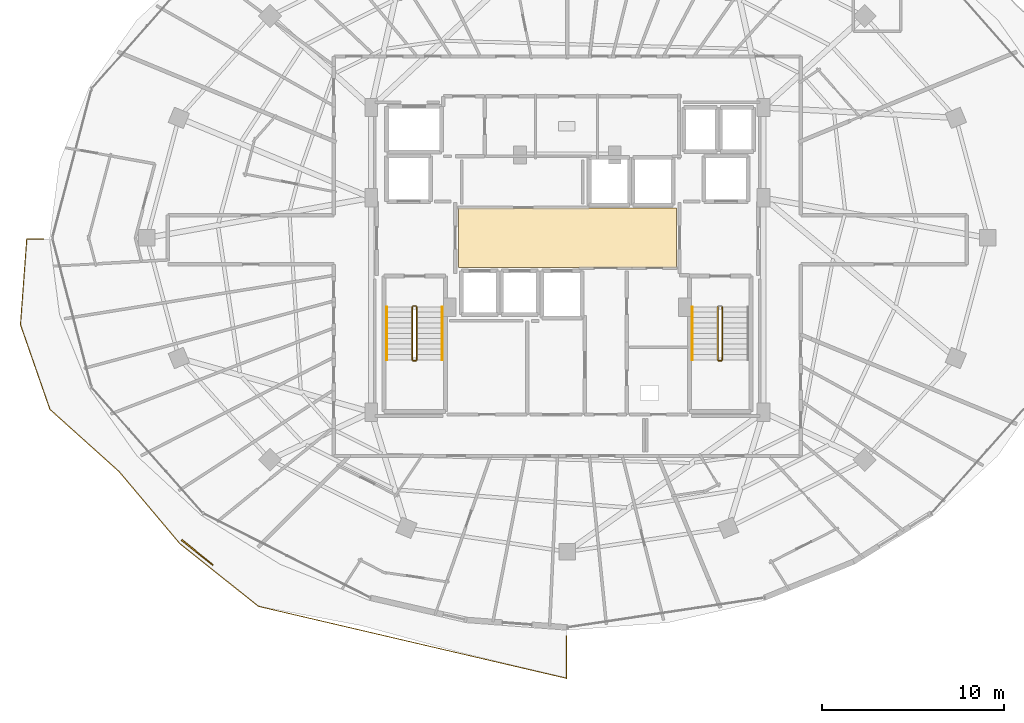
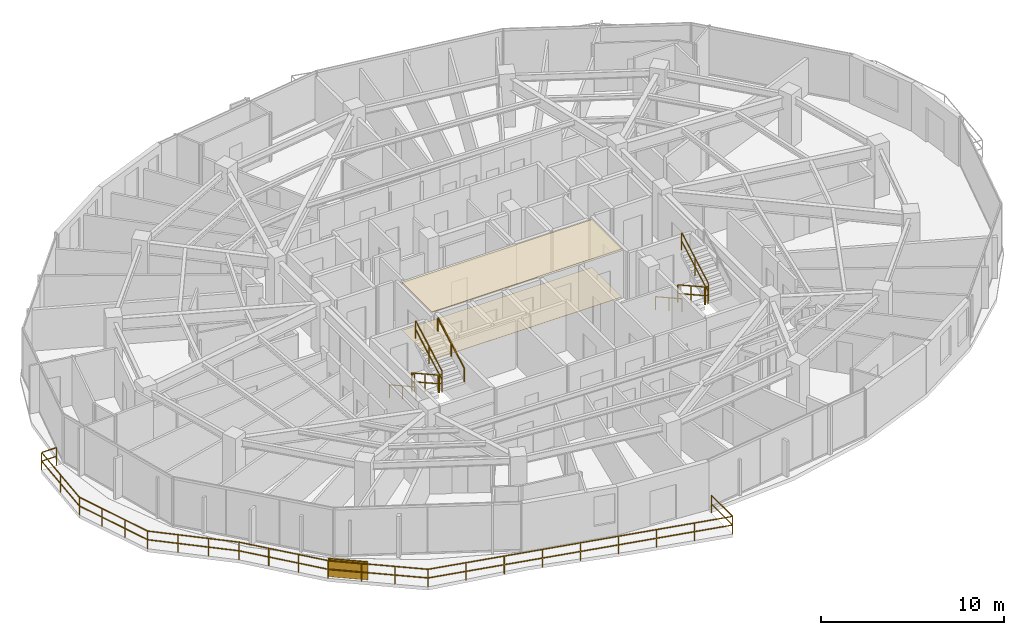
# One storey, part 31 of 33: 12 railings, 2 coverings, 1 shading device.
"""IFC4 building model written with IfcOpenShell, lengths in metres."""

from ifc_helpers import new_model, si_unit, direction, frame, origin, origin_2d, place, context, subcontext, project, spatial, polyline, rectangle, outline, extrude, material, layer, layer_set, type_object, element, save


model = new_model("IFC4")

# Units and contexts
model_context = context("Model", 3, precision=1e-05, world=origin(), true_north=direction((0.0, 1.0)))
body_context = subcontext(model_context, "Body", "Model", "MODEL_VIEW")
ifc_project = project(units=[si_unit("LENGTHUNIT", "METRE"), si_unit("AREAUNIT", "SQUARE_METRE"), si_unit("VOLUMEUNIT", "CUBIC_METRE"), si_unit("PLANEANGLEUNIT", "RADIAN"), si_unit("MASSUNIT", "GRAM", prefix="KILO")], contexts=[model_context])

# Site, building, storey
site_placement = place(None, origin())
site = spatial("IfcSite", under=ifc_project, at=site_placement, CompositionType="ELEMENT")
building_placement = place(site_placement, origin())
building = spatial("IfcBuilding", under=site, at=building_placement, Name="Vorneva Point Tower", CompositionType="ELEMENT")
storey_placement = place(building_placement, frame((0.0, 0.0, 221.39990234375)))
storey = spatial("IfcBuildingStorey", under=building, at=storey_placement, Name="L60", CompositionType="ELEMENT", Elevation=221.39990234375)

# Coverings
ifc_material_1 = material(Name="Perforated acoustic aluminium baffle ceiling", Category="aluminium")
ifc_layer_1 = layer(ifc_material_1, 0.030029296875)
ifc_layer_set_1 = layer_set([ifc_layer_1], Name="Perforated acoustic aluminium baffle ceiling")
covering_type_1 = type_object("IfcCoveringType", Name="COV-CEIL-BAF", PredefinedType="CEILING", material=ifc_layer_set_1)
covering_1_placement = place(storey_placement, frame((0.0, 0.0, 3.170166015625)))
element("IfcCovering", 1, at=covering_1_placement, inside=storey, type_object=covering_type_1, Name="L60 Lift Lobby Acoustic Baffle Ceiling", PredefinedType="CEILING", context=body_context, shape_type="SweptSolid", body=[
    extrude(outline(polyline([(32.02001953125, 24.3701171875), (43.97998046875, 24.3701171875), (43.97998046875, 27.6298828125), (32.02001953125, 27.6298828125), (32.02001953125, 24.3701171875)])), origin(), (0.0, 0.0, 1.0), 0.034912109375),
])
ifc_material_2 = material(Name="Acoustic wool hospitality carpet", Category="textile")
ifc_layer_2 = layer(ifc_material_2, 0.01806640625)
ifc_layer_set_2 = layer_set([ifc_layer_2], Name="Acoustic wool hospitality carpet")
covering_type_2 = type_object("IfcCoveringType", Name="COV-FLR-CRP", PredefinedType="FLOORING", material=ifc_layer_set_2)
covering_2_placement = place(storey_placement, frame((0.0, 0.0, -0.0048828125)))
element("IfcCovering", 2, at=covering_2_placement, inside=storey, type_object=covering_type_2, Name="L60 Lift Lobby Floor Finish", PredefinedType="FLOORING", context=body_context, shape_type="SweptSolid", body=[
    extrude(outline(polyline([(32.02001953125, 24.3701171875), (43.97998046875, 24.3701171875), (43.97998046875, 27.6298828125), (32.02001953125, 27.6298828125), (32.02001953125, 24.3701171875)])), origin(), (0.0, 0.0, 1.0), 0.02294921875),
])

# Railings
ifc_material_3 = material(Name="Pale anodised aluminium", Category="aluminium")
railing_type_1 = type_object("IfcRailingType", Name="RL-BAL-1200", PredefinedType="BALUSTRADE", material=ifc_material_3)
railing_1_placement = place(storey_placement, frame((37.949951171875, 1.862060546875, 0.0)))
element("IfcRailing", 3, at=railing_1_placement, inside=storey, type_object=railing_type_1, Name="L60 Wave Balcony Balustrade SW.1", PredefinedType="BALUSTRADE", context=body_context, shape_type="SweptSolid", body=[
    extrude(rectangle(XDim=0.048095703125, YDim=0.048095703125, at=origin_2d()), frame((0.0, 0.0, 1.17578125), z_axis=(0.0, 1.0, 0.0), x_axis=(-1.0, 0.0, 0.0)), (0.0, 0.0, 1.0), 2.32080078125),
    extrude(rectangle(XDim=0.048095703125, YDim=0.048095703125, at=origin_2d()), frame((0.0, 0.0, 0.60009765625), z_axis=(0.0, 1.0, 0.0), x_axis=(-1.0, 0.0, 0.0)), (0.0, 0.0, 1.0), 2.32080078125),
    extrude(rectangle(XDim=0.0419921875, YDim=0.0419921875, at=origin_2d()), origin(), (0.0, 0.0, 1.0), 1.15185546875),
    extrude(rectangle(XDim=0.0419921875, YDim=0.0419921875, at=origin_2d()), frame((0.0, 2.32080078125, 0.0)), (0.0, 0.0, 1.0), 1.15185546875),
])
railing_2_placement = place(storey_placement, frame((9.3037109375, 25.949951171875, 0.0)))
element("IfcRailing", 4, at=railing_2_placement, inside=storey, type_object=railing_type_1, Name="L60 Wave Balcony Balustrade SW.2", PredefinedType="BALUSTRADE", context=body_context, shape_type="SweptSolid", body=[
    extrude(rectangle(XDim=0.048095703125, YDim=0.048095703125, at=origin_2d()), frame((0.0, 0.0, 1.17578125), z_axis=(-1.0, 0.0, 0.0), x_axis=(0.0, -1.0, 0.0)), (0.0, 0.0, 1.0), 0.9375),
    extrude(rectangle(XDim=0.048095703125, YDim=0.048095703125, at=origin_2d()), frame((0.0, 0.0, 0.60009765625), z_axis=(-1.0, 0.0, 0.0), x_axis=(0.0, -1.0, 0.0)), (0.0, 0.0, 1.0), 0.9375),
    extrude(rectangle(XDim=0.048095703125, YDim=0.048095703125, at=origin_2d()), frame((-0.9375, 0.0, 1.17578125), z_axis=(-0.073338251452, -0.997307124648, 0.0), x_axis=(0.997307124648, -0.073338251452, 0.0)), (0.0, 0.0, 1.0), 4.720458984375),
    extrude(rectangle(XDim=0.048095703125, YDim=0.048095703125, at=origin_2d()), frame((-0.9375, 0.0, 0.60009765625), z_axis=(-0.073338251452, -0.997307124648, 0.0), x_axis=(0.997307124648, -0.073338251452, 0.0)), (0.0, 0.0, 1.0), 4.720458984375),
    extrude(rectangle(XDim=0.048095703125, YDim=0.048095703125, at=origin_2d()), frame((-1.28369140625, -4.707763671875, 1.17578125), z_axis=(0.328537961783, -0.944490766322, 0.0), x_axis=(0.944490766322, 0.328537961783, 0.0)), (0.0, 0.0, 1.0), 4.915771484375),
    extrude(rectangle(XDim=0.048095703125, YDim=0.048095703125, at=origin_2d()), frame((-1.28369140625, -4.707763671875, 0.60009765625), z_axis=(0.328537961783, -0.944490766322, 0.0), x_axis=(0.944490766322, 0.328537961783, 0.0)), (0.0, 0.0, 1.0), 4.915771484375),
    extrude(rectangle(XDim=0.048095703125, YDim=0.048095703125, at=origin_2d()), frame((0.331298828125, -9.3505859375, 1.17578125), z_axis=(0.743803703003, -0.668398123425, 0.0), x_axis=(0.668398123425, 0.743803703003, 0.0)), (0.0, 0.0, 1.0), 5.09619140625),
    extrude(rectangle(XDim=0.048095703125, YDim=0.048095703125, at=origin_2d()), frame((0.331298828125, -9.3505859375, 0.60009765625), z_axis=(0.743803703003, -0.668398123425, 0.0), x_axis=(0.668398123425, 0.743803703003, 0.0)), (0.0, 0.0, 1.0), 5.09619140625),
    extrude(rectangle(XDim=0.048095703125, YDim=0.048095703125, at=origin_2d()), frame((4.121826171875, -12.7568359375, 1.17578125), z_axis=(0.644460214612, -0.764637843545, 0.0), x_axis=(0.764637843545, 0.644460214612, 0.0)), (0.0, 0.0, 1.0), 5.166015625),
    extrude(rectangle(XDim=0.048095703125, YDim=0.048095703125, at=origin_2d()), frame((4.121826171875, -12.7568359375, 0.60009765625), z_axis=(0.644460214612, -0.764637843545, 0.0), x_axis=(0.764637843545, 0.644460214612, 0.0)), (0.0, 0.0, 1.0), 5.166015625),
    extrude(rectangle(XDim=0.048095703125, YDim=0.048095703125, at=origin_2d()), frame((7.451171875, -16.70703125, 1.17578125), z_axis=(0.781581742766, -0.62380283694, 0.0), x_axis=(0.62380283694, 0.781581742766, 0.0)), (0.0, 0.0, 1.0), 5.508544921875),
    extrude(rectangle(XDim=0.048095703125, YDim=0.048095703125, at=origin_2d()), frame((7.451171875, -16.70703125, 0.60009765625), z_axis=(0.781581742766, -0.62380283694, 0.0), x_axis=(0.62380283694, 0.781581742766, 0.0)), (0.0, 0.0, 1.0), 5.508544921875),
    extrude(rectangle(XDim=0.048095703125, YDim=0.048095703125, at=origin_2d()), frame((11.756591796875, -20.143310546875, 1.17578125), z_axis=(0.973794466116, -0.2274298524, 0.0), x_axis=(0.2274298524, 0.973794466116, 0.0)), (0.0, 0.0, 1.0), 17.34423828125),
    extrude(rectangle(XDim=0.048095703125, YDim=0.048095703125, at=origin_2d()), frame((11.756591796875, -20.143310546875, 0.60009765625), z_axis=(0.973794466116, -0.2274298524, 0.0), x_axis=(0.2274298524, 0.973794466116, 0.0)), (0.0, 0.0, 1.0), 17.34423828125),
    extrude(rectangle(XDim=0.0419921875, YDim=0.0419921875, at=origin_2d()), origin(), (0.0, 0.0, 1.0), 1.15185546875),
    extrude(rectangle(XDim=0.0419921875, YDim=0.0419921875, at=origin_2d()), frame((-0.9375, 0.0, 0.0)), (0.0, 0.0, 1.0), 1.15185546875),
    extrude(rectangle(XDim=0.0419921875, YDim=0.0419921875, at=origin_2d()), frame((-1.110595703125, -2.35400390625, 0.0)), (0.0, 0.0, 1.0), 1.15185546875),
    extrude(rectangle(XDim=0.0419921875, YDim=0.0419921875, at=origin_2d()), frame((-1.28369140625, -4.707763671875, 0.0)), (0.0, 0.0, 1.0), 1.15185546875),
    extrude(rectangle(XDim=0.0419921875, YDim=0.0419921875, at=origin_2d()), frame((-0.745361328125, -6.25537109375, 0.0)), (0.0, 0.0, 1.0), 1.15185546875),
    extrude(rectangle(XDim=0.0419921875, YDim=0.0419921875, at=origin_2d()), frame((-0.20703125, -7.802978515625, 0.0)), (0.0, 0.0, 1.0), 1.15185546875),
    extrude(rectangle(XDim=0.0419921875, YDim=0.0419921875, at=origin_2d()), frame((0.331298828125, -9.3505859375, 0.0)), (0.0, 0.0, 1.0), 1.15185546875),
    extrude(rectangle(XDim=0.0419921875, YDim=0.0419921875, at=origin_2d()), frame((1.5947265625, -10.486083984375, 0.0)), (0.0, 0.0, 1.0), 1.15185546875),
    extrude(rectangle(XDim=0.0419921875, YDim=0.0419921875, at=origin_2d()), frame((2.8583984375, -11.621337890625, 0.0)), (0.0, 0.0, 1.0), 1.15185546875),
    extrude(rectangle(XDim=0.0419921875, YDim=0.0419921875, at=origin_2d()), frame((4.121826171875, -12.7568359375, 0.0)), (0.0, 0.0, 1.0), 1.15185546875),
    extrude(rectangle(XDim=0.0419921875, YDim=0.0419921875, at=origin_2d()), frame((5.231689453125, -14.073486328125, 0.0)), (0.0, 0.0, 1.0), 1.15185546875),
    extrude(rectangle(XDim=0.0419921875, YDim=0.0419921875, at=origin_2d()), frame((6.34130859375, -15.390380859375, 0.0)), (0.0, 0.0, 1.0), 1.15185546875),
    extrude(rectangle(XDim=0.0419921875, YDim=0.0419921875, at=origin_2d()), frame((7.451171875, -16.70703125, 0.0)), (0.0, 0.0, 1.0), 1.15185546875),
    extrude(rectangle(XDim=0.0419921875, YDim=0.0419921875, at=origin_2d()), frame((8.88623046875, -17.8525390625, 0.0)), (0.0, 0.0, 1.0), 1.15185546875),
    extrude(rectangle(XDim=0.0419921875, YDim=0.0419921875, at=origin_2d()), frame((10.321533203125, -18.997802734375, 0.0)), (0.0, 0.0, 1.0), 1.15185546875),
    extrude(rectangle(XDim=0.0419921875, YDim=0.0419921875, at=origin_2d()), frame((11.756591796875, -20.143310546875, 0.0)), (0.0, 0.0, 1.0), 1.15185546875),
    extrude(rectangle(XDim=0.0419921875, YDim=0.0419921875, at=origin_2d()), frame((13.86767578125, -20.636474609375, 0.0)), (0.0, 0.0, 1.0), 1.15185546875),
    extrude(rectangle(XDim=0.0419921875, YDim=0.0419921875, at=origin_2d()), frame((15.97900390625, -21.12939453125, 0.0)), (0.0, 0.0, 1.0), 1.15185546875),
    extrude(rectangle(XDim=0.0419921875, YDim=0.0419921875, at=origin_2d()), frame((18.09033203125, -21.62255859375, 0.0)), (0.0, 0.0, 1.0), 1.15185546875),
    extrude(rectangle(XDim=0.0419921875, YDim=0.0419921875, at=origin_2d()), frame((20.201416015625, -22.11572265625, 0.0)), (0.0, 0.0, 1.0), 1.15185546875),
    extrude(rectangle(XDim=0.0419921875, YDim=0.0419921875, at=origin_2d()), frame((22.3125, -22.608642578125, 0.0)), (0.0, 0.0, 1.0), 1.15185546875),
    extrude(rectangle(XDim=0.0419921875, YDim=0.0419921875, at=origin_2d()), frame((24.423828125, -23.101806640625, 0.0)), (0.0, 0.0, 1.0), 1.15185546875),
    extrude(rectangle(XDim=0.0419921875, YDim=0.0419921875, at=origin_2d()), frame((26.53515625, -23.5947265625, 0.0)), (0.0, 0.0, 1.0), 1.15185546875),
    extrude(rectangle(XDim=0.0419921875, YDim=0.0419921875, at=origin_2d()), frame((28.646240234375, -24.087890625, 0.0)), (0.0, 0.0, 1.0), 1.15185546875),
])
ifc_material_4 = material(Name="Brushed stainless steel S304", Category="steel")
railing_type_2 = type_object("IfcRailingType", Name="RL-HND-920", PredefinedType="HANDRAIL", material=ifc_material_4)
railing_3_placement = place(storey_placement, frame((28.10009765625, 22.219970703125, 0.161376953125)))
element("IfcRailing", 5, at=railing_3_placement, inside=storey, type_object=railing_type_2, Name="L60 ST1 stair handrail 1", PredefinedType="HANDRAIL", context=body_context, shape_type="SweptSolid", body=[
    extrude(rectangle(XDim=0.048095703125, YDim=0.048095703125, at=origin_2d()), frame((0.0, 0.0, 0.8759765625), z_axis=(0.0, -0.873810046276, 0.486267419253), x_axis=(1.0, 0.0, 0.0)), (0.0, 0.0, 1.0), 3.318603515625),
    extrude(rectangle(XDim=0.0419921875, YDim=0.0419921875, at=origin_2d()), origin(), (0.0, 0.0, 1.0), 0.851806640625),
    extrude(rectangle(XDim=0.0419921875, YDim=0.0419921875, at=origin_2d()), frame((0.0, -1.449951171875, 0.806884765625)), (0.0, 0.0, 1.0), 0.851806640625),
    extrude(rectangle(XDim=0.0419921875, YDim=0.0419921875, at=origin_2d()), frame((0.0, -2.89990234375, 1.61376953125)), (0.0, 0.0, 1.0), 0.851806640625),
])
railing_4_placement = place(storey_placement, frame((31.14990234375, 19.320068359375, 1.9365234375)))
element("IfcRailing", 6, at=railing_4_placement, inside=storey, type_object=railing_type_2, Name="L60 ST1 stair handrail 2", PredefinedType="HANDRAIL", context=body_context, shape_type="SweptSolid", body=[
    extrude(rectangle(XDim=0.048095703125, YDim=0.048095703125, at=origin_2d()), frame((0.0, 0.0, 0.8759765625), z_axis=(0.0, 0.873841303929, 0.486211245805), x_axis=(-1.0, 0.0, 0.0)), (0.0, 0.0, 1.0), 3.318603515625),
    extrude(rectangle(XDim=0.0419921875, YDim=0.0419921875, at=origin_2d()), origin(), (0.0, 0.0, 1.0), 0.851806640625),
    extrude(rectangle(XDim=0.0419921875, YDim=0.0419921875, at=origin_2d()), frame((0.0, 1.449951171875, 0.806640625)), (0.0, 0.0, 1.0), 0.851806640625),
    extrude(rectangle(XDim=0.0419921875, YDim=0.0419921875, at=origin_2d()), frame((0.0, 2.89990234375, 1.613525390625)), (0.0, 0.0, 1.0), 0.851806640625),
])
railing_5_placement = place(storey_placement, frame((44.85009765625, 22.219970703125, 0.161376953125)))
element("IfcRailing", 7, at=railing_5_placement, inside=storey, type_object=railing_type_2, Name="L60 ST2 stair handrail 1", PredefinedType="HANDRAIL", context=body_context, shape_type="SweptSolid", body=[
    extrude(rectangle(XDim=0.048095703125, YDim=0.048095703125, at=origin_2d()), frame((0.0, 0.0, 0.8759765625), z_axis=(0.0, -0.873810046276, 0.486267419253), x_axis=(1.0, 0.0, 0.0)), (0.0, 0.0, 1.0), 3.318603515625),
    extrude(rectangle(XDim=0.0419921875, YDim=0.0419921875, at=origin_2d()), origin(), (0.0, 0.0, 1.0), 0.851806640625),
    extrude(rectangle(XDim=0.0419921875, YDim=0.0419921875, at=origin_2d()), frame((0.0, -1.449951171875, 0.806884765625)), (0.0, 0.0, 1.0), 0.851806640625),
    extrude(rectangle(XDim=0.0419921875, YDim=0.0419921875, at=origin_2d()), frame((0.0, -2.89990234375, 1.61376953125)), (0.0, 0.0, 1.0), 0.851806640625),
])
railing_type_3 = type_object("IfcRailingType", Name="RL-STG-1100", PredefinedType="GUARDRAIL", material=ifc_material_4)
railing_6_placement = place(storey_placement, frame((29.5, 22.219970703125, 0.161376953125)))
element("IfcRailing", 8, at=railing_6_placement, inside=storey, type_object=railing_type_3, Name="L60 ST1 stair guard 1", PredefinedType="GUARDRAIL", context=body_context, shape_type="SweptSolid", body=[
    extrude(rectangle(XDim=0.048095703125, YDim=0.048095703125, at=origin_2d()), frame((0.0, 0.0, 1.17578125), z_axis=(0.0, -0.873810046276, 0.486267419253), x_axis=(1.0, 0.0, 0.0)), (0.0, 0.0, 1.0), 3.318603515625),
    extrude(rectangle(XDim=0.048095703125, YDim=0.048095703125, at=origin_2d()), frame((0.0, 0.0, 0.60009765625), z_axis=(0.0, -0.873810046276, 0.486267419253), x_axis=(1.0, 0.0, 0.0)), (0.0, 0.0, 1.0), 3.318603515625),
    extrude(rectangle(XDim=0.0419921875, YDim=0.0419921875, at=origin_2d()), origin(), (0.0, 0.0, 1.0), 1.15185546875),
    extrude(rectangle(XDim=0.0419921875, YDim=0.0419921875, at=origin_2d()), frame((0.0, -1.449951171875, 0.806884765625)), (0.0, 0.0, 1.0), 1.15185546875),
    extrude(rectangle(XDim=0.0419921875, YDim=0.0419921875, at=origin_2d()), frame((0.0, -2.89990234375, 1.61376953125)), (0.0, 0.0, 1.0), 1.15185546875),
])
railing_7_placement = place(storey_placement, frame((29.550048828125, 19.27001953125, 1.775146484375)))
element("IfcRailing", 9, at=railing_7_placement, inside=storey, type_object=railing_type_3, Name="L60 ST1 stair guard 2", PredefinedType="GUARDRAIL", context=body_context, shape_type="SweptSolid", body=[
    extrude(rectangle(XDim=0.048095703125, YDim=0.048095703125, at=origin_2d()), frame((0.0, 0.0, 1.17578125), z_axis=(1.0, 0.0, 0.0), x_axis=(0.0, 1.0, 0.0)), (0.0, 0.0, 1.0), 0.14990234375),
    extrude(rectangle(XDim=0.048095703125, YDim=0.048095703125, at=origin_2d()), frame((0.0, 0.0, 0.60009765625), z_axis=(1.0, 0.0, 0.0), x_axis=(0.0, 1.0, 0.0)), (0.0, 0.0, 1.0), 0.14990234375),
    extrude(rectangle(XDim=0.0419921875, YDim=0.0419921875, at=origin_2d()), origin(), (0.0, 0.0, 1.0), 1.15185546875),
    extrude(rectangle(XDim=0.0419921875, YDim=0.0419921875, at=origin_2d()), frame((0.14990234375, 0.0, 0.0)), (0.0, 0.0, 1.0), 1.15185546875),
])
railing_8_placement = place(storey_placement, frame((29.75, 19.320068359375, 1.9365234375)))
element("IfcRailing", 10, at=railing_8_placement, inside=storey, type_object=railing_type_3, Name="L60 ST1 stair guard 3", PredefinedType="GUARDRAIL", context=body_context, shape_type="SweptSolid", body=[
    extrude(rectangle(XDim=0.048095703125, YDim=0.048095703125, at=origin_2d()), frame((0.0, 0.0, 1.17578125), z_axis=(0.0, 0.873841303929, 0.486211245805), x_axis=(-1.0, 0.0, 0.0)), (0.0, 0.0, 1.0), 3.318603515625),
    extrude(rectangle(XDim=0.048095703125, YDim=0.048095703125, at=origin_2d()), frame((0.0, 0.0, 0.60009765625), z_axis=(0.0, 0.873841303929, 0.486211245805), x_axis=(-1.0, 0.0, 0.0)), (0.0, 0.0, 1.0), 3.318603515625),
    extrude(rectangle(XDim=0.0419921875, YDim=0.0419921875, at=origin_2d()), origin(), (0.0, 0.0, 1.0), 1.15185546875),
    extrude(rectangle(XDim=0.0419921875, YDim=0.0419921875, at=origin_2d()), frame((0.0, 1.449951171875, 0.806640625)), (0.0, 0.0, 1.0), 1.15185546875),
    extrude(rectangle(XDim=0.0419921875, YDim=0.0419921875, at=origin_2d()), frame((0.0, 2.89990234375, 1.613525390625)), (0.0, 0.0, 1.0), 1.15185546875),
])
railing_9_placement = place(storey_placement, frame((29.550048828125, 22.27001953125, 0.0)))
element("IfcRailing", 11, at=railing_9_placement, inside=storey, type_object=railing_type_3, Name="L60 ST1 stair guard 4", PredefinedType="GUARDRAIL", context=body_context, shape_type="SweptSolid", body=[
    extrude(rectangle(XDim=0.048095703125, YDim=0.048095703125, at=origin_2d()), frame((0.0, 0.0, 1.17578125), z_axis=(1.0, 0.0, 0.0), x_axis=(0.0, 1.0, 0.0)), (0.0, 0.0, 1.0), 0.14990234375),
    extrude(rectangle(XDim=0.048095703125, YDim=0.048095703125, at=origin_2d()), frame((0.0, 0.0, 0.60009765625), z_axis=(1.0, 0.0, 0.0), x_axis=(0.0, 1.0, 0.0)), (0.0, 0.0, 1.0), 0.14990234375),
    extrude(rectangle(XDim=0.0419921875, YDim=0.0419921875, at=origin_2d()), origin(), (0.0, 0.0, 1.0), 1.15185546875),
    extrude(rectangle(XDim=0.0419921875, YDim=0.0419921875, at=origin_2d()), frame((0.14990234375, 0.0, 0.0)), (0.0, 0.0, 1.0), 1.15185546875),
])
railing_10_placement = place(storey_placement, frame((46.25, 22.219970703125, 0.161376953125)))
element("IfcRailing", 12, at=railing_10_placement, inside=storey, type_object=railing_type_3, Name="L60 ST2 stair guard 1", PredefinedType="GUARDRAIL", context=body_context, shape_type="SweptSolid", body=[
    extrude(rectangle(XDim=0.048095703125, YDim=0.048095703125, at=origin_2d()), frame((0.0, 0.0, 1.17578125), z_axis=(0.0, -0.873810046276, 0.486267419253), x_axis=(1.0, 0.0, 0.0)), (0.0, 0.0, 1.0), 3.318603515625),
    extrude(rectangle(XDim=0.048095703125, YDim=0.048095703125, at=origin_2d()), frame((0.0, 0.0, 0.60009765625), z_axis=(0.0, -0.873810046276, 0.486267419253), x_axis=(1.0, 0.0, 0.0)), (0.0, 0.0, 1.0), 3.318603515625),
    extrude(rectangle(XDim=0.0419921875, YDim=0.0419921875, at=origin_2d()), origin(), (0.0, 0.0, 1.0), 1.15185546875),
    extrude(rectangle(XDim=0.0419921875, YDim=0.0419921875, at=origin_2d()), frame((0.0, -1.449951171875, 0.806884765625)), (0.0, 0.0, 1.0), 1.15185546875),
    extrude(rectangle(XDim=0.0419921875, YDim=0.0419921875, at=origin_2d()), frame((0.0, -2.89990234375, 1.61376953125)), (0.0, 0.0, 1.0), 1.15185546875),
])
railing_11_placement = place(storey_placement, frame((46.300048828125, 19.27001953125, 1.775146484375)))
element("IfcRailing", 13, at=railing_11_placement, inside=storey, type_object=railing_type_3, Name="L60 ST2 stair guard 2", PredefinedType="GUARDRAIL", context=body_context, shape_type="SweptSolid", body=[
    extrude(rectangle(XDim=0.048095703125, YDim=0.048095703125, at=origin_2d()), frame((0.0, 0.0, 1.17578125), z_axis=(1.0, 0.0, 0.0), x_axis=(0.0, 1.0, 0.0)), (0.0, 0.0, 1.0), 0.14990234375),
    extrude(rectangle(XDim=0.048095703125, YDim=0.048095703125, at=origin_2d()), frame((0.0, 0.0, 0.60009765625), z_axis=(1.0, 0.0, 0.0), x_axis=(0.0, 1.0, 0.0)), (0.0, 0.0, 1.0), 0.14990234375),
    extrude(rectangle(XDim=0.0419921875, YDim=0.0419921875, at=origin_2d()), origin(), (0.0, 0.0, 1.0), 1.15185546875),
    extrude(rectangle(XDim=0.0419921875, YDim=0.0419921875, at=origin_2d()), frame((0.14990234375, 0.0, 0.0)), (0.0, 0.0, 1.0), 1.15185546875),
])
railing_12_placement = place(storey_placement, frame((46.5, 19.320068359375, 1.9365234375)))
element("IfcRailing", 14, at=railing_12_placement, inside=storey, type_object=railing_type_3, Name="L60 ST2 stair guard 3", PredefinedType="GUARDRAIL", context=body_context, shape_type="SweptSolid", body=[
    extrude(rectangle(XDim=0.048095703125, YDim=0.048095703125, at=origin_2d()), frame((0.0, 0.0, 1.17578125), z_axis=(0.0, 0.873841303929, 0.486211245805), x_axis=(-1.0, 0.0, 0.0)), (0.0, 0.0, 1.0), 3.318603515625),
    extrude(rectangle(XDim=0.048095703125, YDim=0.048095703125, at=origin_2d()), frame((0.0, 0.0, 0.60009765625), z_axis=(0.0, 0.873841303929, 0.486211245805), x_axis=(-1.0, 0.0, 0.0)), (0.0, 0.0, 1.0), 3.318603515625),
    extrude(rectangle(XDim=0.0419921875, YDim=0.0419921875, at=origin_2d()), origin(), (0.0, 0.0, 1.0), 1.15185546875),
    extrude(rectangle(XDim=0.0419921875, YDim=0.0419921875, at=origin_2d()), frame((0.0, 1.449951171875, 0.806640625)), (0.0, 0.0, 1.0), 1.15185546875),
    extrude(rectangle(XDim=0.0419921875, YDim=0.0419921875, at=origin_2d()), frame((0.0, 2.89990234375, 1.613525390625)), (0.0, 0.0, 1.0), 1.15185546875),
])

# Shading device
shading_device_type = type_object("IfcShadingDeviceType", Name="SHD-JAL-1200", PredefinedType="JALOUSIE", material=ifc_material_3)
shading_device_placement = place(storey_placement, frame((17.71435546875, 8.75341796875, -0.02001953125), z_axis=(0.0, 0.0, 1.0), x_axis=(0.781574913208, -0.623811393807, 0.0)))
element("IfcShadingDevice", 15, at=shading_device_placement, inside=storey, type_object=shading_device_type, Name="L60 Balcony Vertical-Greenery Planter Screen SW.2", PredefinedType="JALOUSIE", context=body_context, shape_type="SweptSolid", body=[
    extrude(rectangle(XDim=2.199951171875, YDim=0.080078125, at=origin_2d()), origin(), (0.0, 0.0, 1.0), 1.199951171875),
])

save(model, "model.ifc")
